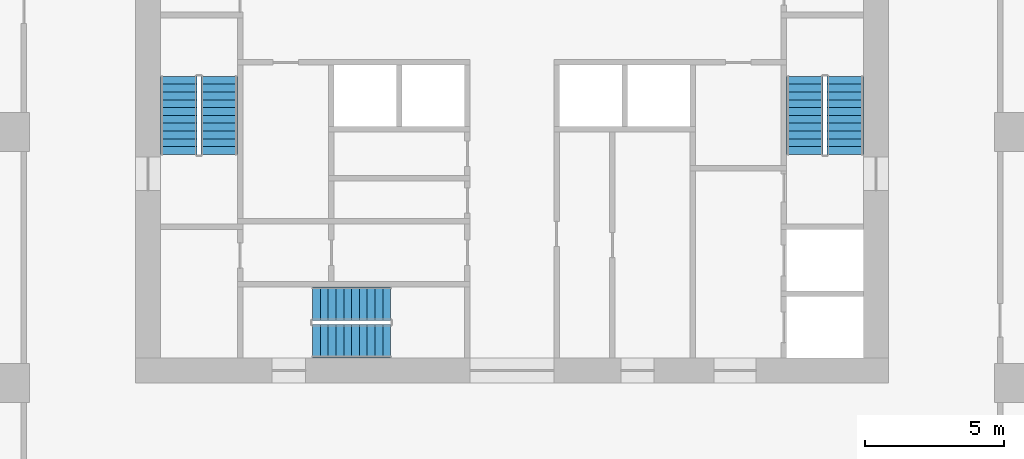
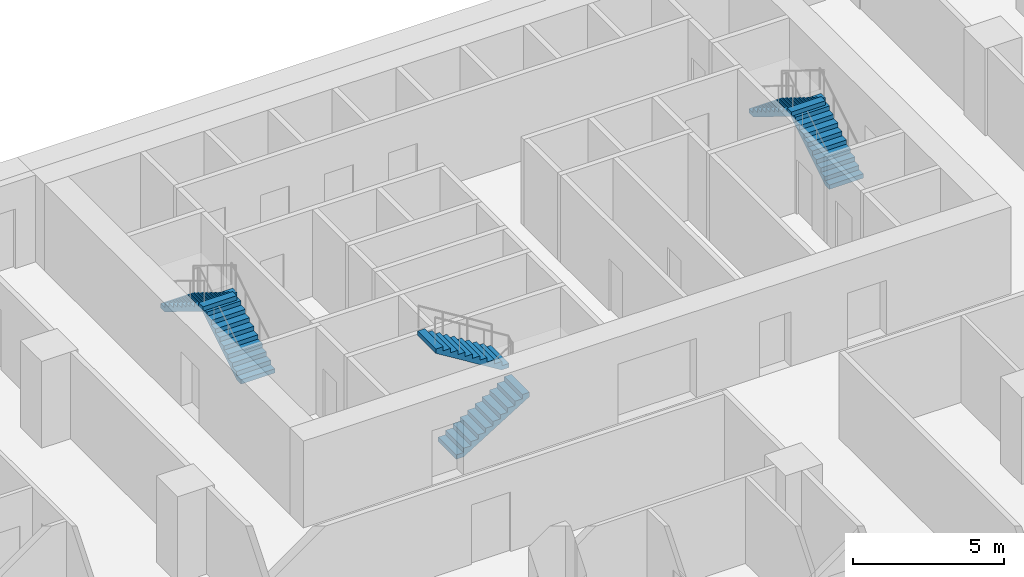
# One storey, part 7 of 14: 6 stair flights, 3 elements without a shape of their own.
"""IFC4 building model written with IfcOpenShell, lengths in metres."""

from ifc_helpers import new_model, si_unit, direction, frame, origin, place, context, subcontext, project, spatial, polyline, outline, extrude, material, type_object, element, aggregate, save


model = new_model("IFC4")

# Units and contexts
model_context = context("Model", 3, precision=1e-05, world=origin(), true_north=direction((0.0, 1.0)))
body_context = subcontext(model_context, "Body", "Model", "MODEL_VIEW")
ifc_project = project(units=[si_unit("LENGTHUNIT", "METRE"), si_unit("AREAUNIT", "SQUARE_METRE"), si_unit("VOLUMEUNIT", "CUBIC_METRE"), si_unit("PLANEANGLEUNIT", "RADIAN"), si_unit("MASSUNIT", "GRAM", prefix="KILO")], contexts=[model_context])

# Site, building, storey
site_placement = place(None, origin())
site = spatial("IfcSite", under=ifc_project, at=site_placement, CompositionType="ELEMENT")
building_placement = place(site_placement, origin())
building = spatial("IfcBuilding", under=site, at=building_placement, Name="Orbiselva Terraces", CompositionType="ELEMENT")
storey_placement = place(building_placement, frame((0.0, 0.0, 88.4)))
storey = spatial("IfcBuildingStorey", under=building, at=storey_placement, Name="L22", CompositionType="ELEMENT", Elevation=88.4)

# Stair, stair flights
ifc_material = material(Name="Concrete C40/50", Category="concrete")
stair_type_1 = type_object("IfcStairType", Name="CORE-STAIR-1200", PredefinedType="HALF_TURN_STAIR", material=ifc_material)
stair_1_placement = place(storey_placement, origin())
stair_1 = element("IfcStair", 1, at=stair_1_placement, inside=storey, type_object=stair_type_1, Name="L22 Exit Stair S3", PredefinedType="HALF_TURN_STAIR")
stair_flight_type_1 = type_object("IfcStairFlightType", Name="CORE-STAIR-FLIGHT-1200", PredefinedType="STRAIGHT", material=ifc_material)
stair_flight_1_placement = place(storey_placement, frame((-7.15, 6.0, 0.0), z_axis=(0.0, 0.0, 1.0), x_axis=(1.0, 0.0, 0.0)))
stair_flight_1 = element("IfcStairFlight", 2, at=stair_flight_1_placement, type_object=stair_flight_type_1, Name="S3 flight 1", NumberOfRisers=11, NumberOfTreads=10, PredefinedType="STRAIGHT", RiserHeight=0.172727273, TreadLength=0.28, context=body_context, shape_type="SweptSolid", body=[
    extrude(outline(polyline([(0.0, 0.0), (0.0, 0.172727), (0.28, 0.172727), (0.28, 0.345455), (0.56, 0.345455), (0.56, 0.518182), (0.84, 0.518182), (0.84, 0.690909), (1.12, 0.690909), (1.12, 0.863636), (1.4, 0.863636), (1.4, 1.036364), (1.68, 1.036364), (1.68, 1.209091), (1.96, 1.209091), (1.96, 1.381818), (2.24, 1.381818), (2.24, 1.554545), (2.52, 1.554545), (2.52, 1.727273), (2.8, 1.727273), (2.8, 1.9), (2.8, 1.551028), (0.285702, 0.0), (0.0, 0.0)])), frame((0.0, 0.6, 0.0), z_axis=(0.0, -1.0, 0.0), x_axis=(1.0, 0.0, 0.0)), (0.0, 0.0, 1.0), 1.2),
])
stair_flight_2_placement = place(storey_placement, frame((-4.35, 7.35, 1.9), z_axis=(0.0, 0.0, 1.0), x_axis=(-1.0, 0.0, 0.0)))
stair_flight_2 = element("IfcStairFlight", 3, at=stair_flight_2_placement, type_object=stair_flight_type_1, Name="S3 flight 2", NumberOfRisers=11, NumberOfTreads=10, PredefinedType="STRAIGHT", RiserHeight=0.172727273, TreadLength=0.28, context=body_context, shape_type="SweptSolid", body=[
    extrude(outline(polyline([(0.0, 0.0), (0.0, 0.172727), (0.28, 0.172727), (0.28, 0.345455), (0.56, 0.345455), (0.56, 0.518182), (0.84, 0.518182), (0.84, 0.690909), (1.12, 0.690909), (1.12, 0.863636), (1.4, 0.863636), (1.4, 1.036364), (1.68, 1.036364), (1.68, 1.209091), (1.96, 1.209091), (1.96, 1.381818), (2.24, 1.381818), (2.24, 1.554545), (2.52, 1.554545), (2.52, 1.727273), (2.8, 1.727273), (2.8, 1.9), (2.8, 1.551028), (0.285702, 0.0), (0.0, 0.0)])), frame((0.0, 0.6, 0.0), z_axis=(0.0, -1.0, 0.0), x_axis=(1.0, 0.0, 0.0)), (0.0, 0.0, 1.0), 1.2),
])
aggregate(stair_1, [stair_flight_1, stair_flight_2])

stair_type_2 = type_object("IfcStairType", Name="CORE-STAIR-1300", PredefinedType="HALF_TURN_STAIR", material=ifc_material)
stair_2_placement = place(storey_placement, origin())
stair_2 = element("IfcStair", 4, at=stair_2_placement, inside=storey, type_object=stair_type_2, Name="L22 Exit Stair S1", PredefinedType="HALF_TURN_STAIR")
stair_flight_type_2 = type_object("IfcStairFlightType", Name="CORE-STAIR-FLIGHT-1300", PredefinedType="STRAIGHT", material=ifc_material)
stair_flight_3_placement = place(storey_placement, frame((-10.5, 12.7, 0.0), z_axis=(0.0, 0.0, 1.0), x_axis=(0.0, 1.0, 0.0)))
stair_flight_3 = element("IfcStairFlight", 5, at=stair_flight_3_placement, type_object=stair_flight_type_2, Name="S1 flight 1", NumberOfRisers=11, NumberOfTreads=10, PredefinedType="STRAIGHT", RiserHeight=0.172727273, TreadLength=0.28, context=body_context, shape_type="SweptSolid", body=[
    extrude(outline(polyline([(0.0, 0.0), (0.0, 0.172727), (0.28, 0.172727), (0.28, 0.345455), (0.56, 0.345455), (0.56, 0.518182), (0.84, 0.518182), (0.84, 0.690909), (1.12, 0.690909), (1.12, 0.863636), (1.4, 0.863636), (1.4, 1.036364), (1.68, 1.036364), (1.68, 1.209091), (1.96, 1.209091), (1.96, 1.381818), (2.24, 1.381818), (2.24, 1.554545), (2.52, 1.554545), (2.52, 1.727273), (2.8, 1.727273), (2.8, 1.9), (2.8, 1.551028), (0.285702, 0.0), (0.0, 0.0)])), frame((0.0, 0.65, 0.0), z_axis=(0.0, -1.0, 0.0), x_axis=(1.0, 0.0, 0.0)), (0.0, 0.0, 1.0), 1.3),
])
stair_flight_4_placement = place(storey_placement, frame((-11.95, 15.5, 1.9), z_axis=(0.0, 0.0, 1.0), x_axis=(0.0, -1.0, 0.0)))
stair_flight_4 = element("IfcStairFlight", 6, at=stair_flight_4_placement, type_object=stair_flight_type_2, Name="S1 flight 2", NumberOfRisers=11, NumberOfTreads=10, PredefinedType="STRAIGHT", RiserHeight=0.172727273, TreadLength=0.28, context=body_context, shape_type="SweptSolid", body=[
    extrude(outline(polyline([(0.0, 0.0), (0.0, 0.172727), (0.28, 0.172727), (0.28, 0.345455), (0.56, 0.345455), (0.56, 0.518182), (0.84, 0.518182), (0.84, 0.690909), (1.12, 0.690909), (1.12, 0.863636), (1.4, 0.863636), (1.4, 1.036364), (1.68, 1.036364), (1.68, 1.209091), (1.96, 1.209091), (1.96, 1.381818), (2.24, 1.381818), (2.24, 1.554545), (2.52, 1.554545), (2.52, 1.727273), (2.8, 1.727273), (2.8, 1.9), (2.8, 1.551028), (0.285702, 0.0), (0.0, 0.0)])), frame((0.0, 0.65, 0.0), z_axis=(0.0, -1.0, 0.0), x_axis=(1.0, 0.0, 0.0)), (0.0, 0.0, 1.0), 1.3),
])
aggregate(stair_2, [stair_flight_3, stair_flight_4])

stair_3_placement = place(storey_placement, origin())
stair_3 = element("IfcStair", 7, at=stair_3_placement, inside=storey, type_object=stair_type_2, Name="L22 Exit Stair S2", PredefinedType="HALF_TURN_STAIR")
stair_flight_5_placement = place(storey_placement, frame((11.95, 12.7, 0.0), z_axis=(0.0, 0.0, 1.0), x_axis=(0.0, 1.0, 0.0)))
stair_flight_5 = element("IfcStairFlight", 8, at=stair_flight_5_placement, type_object=stair_flight_type_2, Name="S2 flight 1", NumberOfRisers=11, NumberOfTreads=10, PredefinedType="STRAIGHT", RiserHeight=0.172727273, TreadLength=0.28, context=body_context, shape_type="SweptSolid", body=[
    extrude(outline(polyline([(0.0, 0.0), (0.0, 0.172727), (0.28, 0.172727), (0.28, 0.345455), (0.56, 0.345455), (0.56, 0.518182), (0.84, 0.518182), (0.84, 0.690909), (1.12, 0.690909), (1.12, 0.863636), (1.4, 0.863636), (1.4, 1.036364), (1.68, 1.036364), (1.68, 1.209091), (1.96, 1.209091), (1.96, 1.381818), (2.24, 1.381818), (2.24, 1.554545), (2.52, 1.554545), (2.52, 1.727273), (2.8, 1.727273), (2.8, 1.9), (2.8, 1.551028), (0.285702, 0.0), (0.0, 0.0)])), frame((0.0, 0.65, 0.0), z_axis=(0.0, -1.0, 0.0), x_axis=(1.0, 0.0, 0.0)), (0.0, 0.0, 1.0), 1.3),
])
stair_flight_6_placement = place(storey_placement, frame((10.5, 15.5, 1.9), z_axis=(0.0, 0.0, 1.0), x_axis=(0.0, -1.0, 0.0)))
stair_flight_6 = element("IfcStairFlight", 9, at=stair_flight_6_placement, type_object=stair_flight_type_2, Name="S2 flight 2", NumberOfRisers=11, NumberOfTreads=10, PredefinedType="STRAIGHT", RiserHeight=0.172727273, TreadLength=0.28, context=body_context, shape_type="SweptSolid", body=[
    extrude(outline(polyline([(0.0, 0.0), (0.0, 0.172727), (0.28, 0.172727), (0.28, 0.345455), (0.56, 0.345455), (0.56, 0.518182), (0.84, 0.518182), (0.84, 0.690909), (1.12, 0.690909), (1.12, 0.863636), (1.4, 0.863636), (1.4, 1.036364), (1.68, 1.036364), (1.68, 1.209091), (1.96, 1.209091), (1.96, 1.381818), (2.24, 1.381818), (2.24, 1.554545), (2.52, 1.554545), (2.52, 1.727273), (2.8, 1.727273), (2.8, 1.9), (2.8, 1.551028), (0.285702, 0.0), (0.0, 0.0)])), frame((0.0, 0.65, 0.0), z_axis=(0.0, -1.0, 0.0), x_axis=(1.0, 0.0, 0.0)), (0.0, 0.0, 1.0), 1.3),
])
aggregate(stair_3, [stair_flight_5, stair_flight_6])

save(model, "model.ifc")
